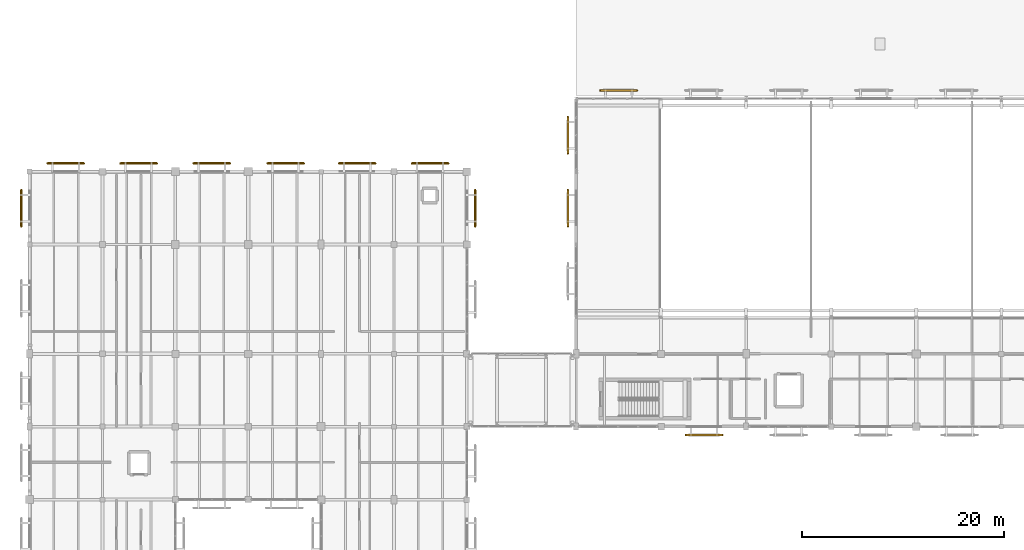
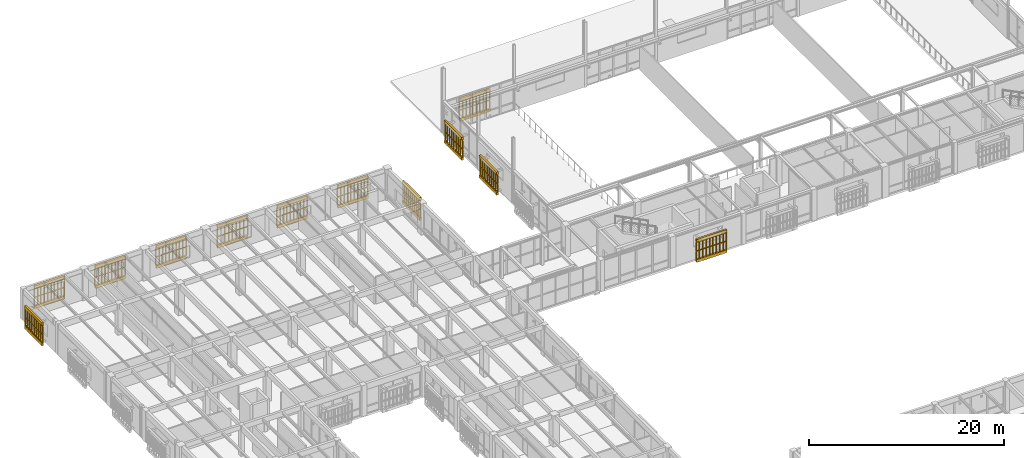
# One storey, part 158 of 170: 24 coverings, 24 railings.
"""IFC4 building model written with IfcOpenShell, lengths in metres."""

from ifc_helpers import new_model, si_unit, direction, frame, origin, origin_2d, place, context, subcontext, project, spatial, polyline, circle, outline, extrude, material, layer, layer_set, type_object, element, save


model = new_model("IFC4")

# Units and contexts
model_context = context("Model", 3, precision=1e-05, world=origin(), true_north=direction((0.0, 1.0)))
body_context = subcontext(model_context, "Body", "Model", "MODEL_VIEW")
ifc_project = project(units=[si_unit("LENGTHUNIT", "METRE"), si_unit("AREAUNIT", "SQUARE_METRE"), si_unit("VOLUMEUNIT", "CUBIC_METRE"), si_unit("PLANEANGLEUNIT", "RADIAN"), si_unit("MASSUNIT", "GRAM", prefix="KILO")], contexts=[model_context])

# Site, building, storey
site_placement = place(None, origin())
site = spatial("IfcSite", under=ifc_project, at=site_placement, CompositionType="ELEMENT")
building_placement = place(site_placement, origin())
building = spatial("IfcBuilding", under=site, at=building_placement, Name="Mazaris Harbour Polytechnic", CompositionType="ELEMENT")
storey_placement = place(building_placement, frame((0.0, 0.0, 5.39990234375)))
storey = spatial("IfcBuildingStorey", under=building, at=storey_placement, Name="L01", CompositionType="ELEMENT", Elevation=5.39990234375)

# Railings
ifc_material_1 = material(Name="Perforated Earth-Coloured Terracotta Block", Category="masonry")
railing_type = type_object("IfcRailingType", Name="Perforated Earth-Block Claustra Lattice 1040", PredefinedType="BALUSTRADE", material=ifc_material_1)
for number, where, name in (
    (1, (68.4375, 74.780029296875, 0.52001953125), "V1 L01 Lower Perforated Terracotta Block Screen 5"),
    (2, (68.4375, 74.780029296875, 1.610107421875), "V1 L01 Upper Perforated Terracotta Block Screen 5"),
):
    element("IfcRailing", number, at=place(storey_placement, frame(where)), inside=storey, type_object=railing_type, Name=name, PredefinedType="BALUSTRADE", context=body_context, shape_type="SweptSolid", body=[
        extrude(circle(Radius=0.06982421875, at=origin_2d()), frame((0.0, 0.0, 1.02001953125), z_axis=(-1.0, 0.0, 0.0), x_axis=(0.0, -1.0, 0.0)), (0.0, 0.0, 1.0), 3.60009765625),
        extrude(circle(Radius=0.074951171875, at=origin_2d()), origin(), (0.0, 0.0, 1.0), 0.9501953125),
        extrude(circle(Radius=0.074951171875, at=origin_2d()), frame((-0.39990234375, 0.0, 0.0)), (0.0, 0.0, 1.0), 0.9501953125),
        extrude(circle(Radius=0.074951171875, at=origin_2d()), frame((-0.800048828125, 0.0, 0.0)), (0.0, 0.0, 1.0), 0.9501953125),
        extrude(circle(Radius=0.074951171875, at=origin_2d()), frame((-1.199951171875, 0.0, 0.0)), (0.0, 0.0, 1.0), 0.9501953125),
        extrude(circle(Radius=0.074951171875, at=origin_2d()), frame((-1.60009765625, 0.0, 0.0)), (0.0, 0.0, 1.0), 0.9501953125),
        extrude(circle(Radius=0.074951171875, at=origin_2d()), frame((-2.0, 0.0, 0.0)), (0.0, 0.0, 1.0), 0.9501953125),
        extrude(circle(Radius=0.074951171875, at=origin_2d()), frame((-2.400146484375, 0.0, 0.0)), (0.0, 0.0, 1.0), 0.9501953125),
        extrude(circle(Radius=0.074951171875, at=origin_2d()), frame((-2.800048828125, 0.0, 0.0)), (0.0, 0.0, 1.0), 0.9501953125),
        extrude(circle(Radius=0.074951171875, at=origin_2d()), frame((-3.2001953125, 0.0, 0.0)), (0.0, 0.0, 1.0), 0.9501953125),
        extrude(circle(Radius=0.074951171875, at=origin_2d()), frame((-3.60009765625, 0.0, 0.0)), (0.0, 0.0, 1.0), 0.9501953125),
    ])
for number, where, name in (
    (3, (56.39990234375, 108.820068359375, 0.52001953125), "V1 L01 Lower Perforated Terracotta Block Screen 11"),
    (4, (56.39990234375, 108.820068359375, 1.610107421875), "V1 L01 Upper Perforated Terracotta Block Screen 11"),
):
    element("IfcRailing", number, at=place(storey_placement, frame(where)), inside=storey, type_object=railing_type, Name=name, PredefinedType="BALUSTRADE", context=body_context, shape_type="SweptSolid", body=[
        extrude(circle(Radius=0.06982421875, at=origin_2d()), frame((0.0, 0.0, 1.02001953125), z_axis=(1.0, 0.0, 0.0), x_axis=(0.0, 1.0, 0.0)), (0.0, 0.0, 1.0), 3.60009765625),
        extrude(circle(Radius=0.074951171875, at=origin_2d()), origin(), (0.0, 0.0, 1.0), 0.9501953125),
        extrude(circle(Radius=0.074951171875, at=origin_2d()), frame((0.39990234375, 0.0, 0.0)), (0.0, 0.0, 1.0), 0.9501953125),
        extrude(circle(Radius=0.074951171875, at=origin_2d()), frame((0.800048828125, 0.0, 0.0)), (0.0, 0.0, 1.0), 0.9501953125),
        extrude(circle(Radius=0.074951171875, at=origin_2d()), frame((1.199951171875, 0.0, 0.0)), (0.0, 0.0, 1.0), 0.9501953125),
        extrude(circle(Radius=0.074951171875, at=origin_2d()), frame((1.60009765625, 0.0, 0.0)), (0.0, 0.0, 1.0), 0.9501953125),
        extrude(circle(Radius=0.074951171875, at=origin_2d()), frame((2.0, 0.0, 0.0)), (0.0, 0.0, 1.0), 0.9501953125),
        extrude(circle(Radius=0.074951171875, at=origin_2d()), frame((2.400146484375, 0.0, 0.0)), (0.0, 0.0, 1.0), 0.9501953125),
        extrude(circle(Radius=0.074951171875, at=origin_2d()), frame((2.800048828125, 0.0, 0.0)), (0.0, 0.0, 1.0), 0.9501953125),
        extrude(circle(Radius=0.074951171875, at=origin_2d()), frame((3.2001953125, 0.0, 0.0)), (0.0, 0.0, 1.0), 0.9501953125),
        extrude(circle(Radius=0.074951171875, at=origin_2d()), frame((3.60009765625, 0.0, 0.0)), (0.0, 0.0, 1.0), 0.9501953125),
    ])
for number, where, name in (
    (5, (53.179931640625, 95.389892578125, 0.52001953125), "V1 L01 Lower Perforated Terracotta Block Screen 19"),
    (6, (53.179931640625, 95.389892578125, 1.610107421875), "V1 L01 Upper Perforated Terracotta Block Screen 19"),
):
    element("IfcRailing", number, at=place(storey_placement, frame(where)), inside=storey, type_object=railing_type, Name=name, PredefinedType="BALUSTRADE", context=body_context, shape_type="SweptSolid", body=[
        extrude(circle(Radius=0.06982421875, at=origin_2d()), frame((0.0, 0.0, 1.02001953125), z_axis=(0.0, 1.0, 0.0), x_axis=(-1.0, 0.0, 0.0)), (0.0, 0.0, 1.0), 3.60009765625),
        extrude(circle(Radius=0.074951171875, at=origin_2d()), origin(), (0.0, 0.0, 1.0), 0.9501953125),
        extrude(circle(Radius=0.074951171875, at=origin_2d()), frame((0.0, 0.39990234375, 0.0)), (0.0, 0.0, 1.0), 0.9501953125),
        extrude(circle(Radius=0.074951171875, at=origin_2d()), frame((0.0, 0.800048828125, 0.0)), (0.0, 0.0, 1.0), 0.9501953125),
        extrude(circle(Radius=0.074951171875, at=origin_2d()), frame((0.0, 1.199951171875, 0.0)), (0.0, 0.0, 1.0), 0.9501953125),
        extrude(circle(Radius=0.074951171875, at=origin_2d()), frame((0.0, 1.60009765625, 0.0)), (0.0, 0.0, 1.0), 0.9501953125),
        extrude(circle(Radius=0.074951171875, at=origin_2d()), frame((0.0, 2.0, 0.0)), (0.0, 0.0, 1.0), 0.9501953125),
        extrude(circle(Radius=0.074951171875, at=origin_2d()), frame((0.0, 2.400146484375, 0.0)), (0.0, 0.0, 1.0), 0.9501953125),
        extrude(circle(Radius=0.074951171875, at=origin_2d()), frame((0.0, 2.800048828125, 0.0)), (0.0, 0.0, 1.0), 0.9501953125),
        extrude(circle(Radius=0.074951171875, at=origin_2d()), frame((0.0, 3.2001953125, 0.0)), (0.0, 0.0, 1.0), 0.9501953125),
        extrude(circle(Radius=0.074951171875, at=origin_2d()), frame((0.0, 3.60009765625, 0.0)), (0.0, 0.0, 1.0), 0.9501953125),
    ])
for number, where, name in (
    (7, (53.179931640625, 102.590087890625, 0.52001953125), "V1 L01 Lower Perforated Terracotta Block Screen 20"),
    (8, (53.179931640625, 102.590087890625, 1.610107421875), "V1 L01 Upper Perforated Terracotta Block Screen 20"),
):
    element("IfcRailing", number, at=place(storey_placement, frame(where)), inside=storey, type_object=railing_type, Name=name, PredefinedType="BALUSTRADE", context=body_context, shape_type="SweptSolid", body=[
        extrude(circle(Radius=0.06982421875, at=origin_2d()), frame((0.0, 0.0, 1.02001953125), z_axis=(0.0, 1.0, 0.0), x_axis=(-1.0, 0.0, 0.0)), (0.0, 0.0, 1.0), 3.599853515625),
        extrude(circle(Radius=0.074951171875, at=origin_2d()), origin(), (0.0, 0.0, 1.0), 0.9501953125),
        extrude(circle(Radius=0.074951171875, at=origin_2d()), frame((0.0, 0.449951171875, 0.0)), (0.0, 0.0, 1.0), 0.9501953125),
        extrude(circle(Radius=0.074951171875, at=origin_2d()), frame((0.0, 0.89990234375, 0.0)), (0.0, 0.0, 1.0), 0.9501953125),
        extrude(circle(Radius=0.074951171875, at=origin_2d()), frame((0.0, 1.349853515625, 0.0)), (0.0, 0.0, 1.0), 0.9501953125),
        extrude(circle(Radius=0.074951171875, at=origin_2d()), frame((0.0, 1.7998046875, 0.0)), (0.0, 0.0, 1.0), 0.9501953125),
        extrude(circle(Radius=0.074951171875, at=origin_2d()), frame((0.0, 2.25, 0.0)), (0.0, 0.0, 1.0), 0.9501953125),
        extrude(circle(Radius=0.074951171875, at=origin_2d()), frame((0.0, 2.699951171875, 0.0)), (0.0, 0.0, 1.0), 0.9501953125),
        extrude(circle(Radius=0.074951171875, at=origin_2d()), frame((0.0, 3.14990234375, 0.0)), (0.0, 0.0, 1.0), 0.9501953125),
        extrude(circle(Radius=0.074951171875, at=origin_2d()), frame((0.0, 3.599853515625, 0.0)), (0.0, 0.0, 1.0), 0.9501953125),
    ])
for number, where, name in (
    (9, (1.762451171875, 101.6201171875, 0.52001953125), "V4 L01 Lower Perforated Terracotta Block Screen 161"),
    (10, (1.762451171875, 101.6201171875, 1.610107421875), "V4 L01 Upper Perforated Terracotta Block Screen 161"),
    (11, (8.96240234375, 101.6201171875, 0.52001953125), "V4 L01 Lower Perforated Terracotta Block Screen 162"),
    (12, (8.96240234375, 101.6201171875, 1.610107421875), "V4 L01 Upper Perforated Terracotta Block Screen 162"),
    (13, (16.199951171875, 101.6201171875, 0.52001953125), "V4 L01 Lower Perforated Terracotta Block Screen 163"),
    (14, (16.199951171875, 101.6201171875, 1.610107421875), "V4 L01 Upper Perforated Terracotta Block Screen 163"),
):
    element("IfcRailing", number, at=place(storey_placement, frame(where)), inside=storey, type_object=railing_type, Name=name, PredefinedType="BALUSTRADE", context=body_context, shape_type="SweptSolid", body=[
        extrude(circle(Radius=0.06982421875, at=origin_2d()), frame((0.0, 0.0, 1.02001953125), z_axis=(1.0, 0.0, 0.0), x_axis=(0.0, 1.0, 0.0)), (0.0, 0.0, 1.0), 3.60009765625),
        extrude(circle(Radius=0.074951171875, at=origin_2d()), origin(), (0.0, 0.0, 1.0), 0.9501953125),
        extrude(circle(Radius=0.074951171875, at=origin_2d()), frame((0.39990234375, 0.0, 0.0)), (0.0, 0.0, 1.0), 0.9501953125),
        extrude(circle(Radius=0.074951171875, at=origin_2d()), frame((0.800048828125, 0.0, 0.0)), (0.0, 0.0, 1.0), 0.9501953125),
        extrude(circle(Radius=0.074951171875, at=origin_2d()), frame((1.199951171875, 0.0, 0.0)), (0.0, 0.0, 1.0), 0.9501953125),
        extrude(circle(Radius=0.074951171875, at=origin_2d()), frame((1.60009765625, 0.0, 0.0)), (0.0, 0.0, 1.0), 0.9501953125),
        extrude(circle(Radius=0.074951171875, at=origin_2d()), frame((2.0, 0.0, 0.0)), (0.0, 0.0, 1.0), 0.9501953125),
        extrude(circle(Radius=0.074951171875, at=origin_2d()), frame((2.400146484375, 0.0, 0.0)), (0.0, 0.0, 1.0), 0.9501953125),
        extrude(circle(Radius=0.074951171875, at=origin_2d()), frame((2.800048828125, 0.0, 0.0)), (0.0, 0.0, 1.0), 0.9501953125),
        extrude(circle(Radius=0.074951171875, at=origin_2d()), frame((3.2001953125, 0.0, 0.0)), (0.0, 0.0, 1.0), 0.9501953125),
        extrude(circle(Radius=0.074951171875, at=origin_2d()), frame((3.60009765625, 0.0, 0.0)), (0.0, 0.0, 1.0), 0.9501953125),
    ])
for number, where, name in (
    (15, (23.487548828125, 101.6201171875, 0.52001953125), "V4 L01 Lower Perforated Terracotta Block Screen 164"),
    (16, (23.487548828125, 101.6201171875, 1.610107421875), "V4 L01 Upper Perforated Terracotta Block Screen 164"),
):
    element("IfcRailing", number, at=place(storey_placement, frame(where)), inside=storey, type_object=railing_type, Name=name, PredefinedType="BALUSTRADE", context=body_context, shape_type="SweptSolid", body=[
        extrude(circle(Radius=0.06982421875, at=origin_2d()), frame((0.0, 0.0, 1.02001953125), z_axis=(1.0, 0.0, 0.0), x_axis=(0.0, 1.0, 0.0)), (0.0, 0.0, 1.0), 3.599853515625),
        extrude(circle(Radius=0.074951171875, at=origin_2d()), origin(), (0.0, 0.0, 1.0), 0.9501953125),
        extrude(circle(Radius=0.074951171875, at=origin_2d()), frame((0.449951171875, 0.0, 0.0)), (0.0, 0.0, 1.0), 0.9501953125),
        extrude(circle(Radius=0.074951171875, at=origin_2d()), frame((0.89990234375, 0.0, 0.0)), (0.0, 0.0, 1.0), 0.9501953125),
        extrude(circle(Radius=0.074951171875, at=origin_2d()), frame((1.349853515625, 0.0, 0.0)), (0.0, 0.0, 1.0), 0.9501953125),
        extrude(circle(Radius=0.074951171875, at=origin_2d()), frame((1.7998046875, 0.0, 0.0)), (0.0, 0.0, 1.0), 0.9501953125),
        extrude(circle(Radius=0.074951171875, at=origin_2d()), frame((2.25, 0.0, 0.0)), (0.0, 0.0, 1.0), 0.9501953125),
        extrude(circle(Radius=0.074951171875, at=origin_2d()), frame((2.699951171875, 0.0, 0.0)), (0.0, 0.0, 1.0), 0.9501953125),
        extrude(circle(Radius=0.074951171875, at=origin_2d()), frame((3.14990234375, 0.0, 0.0)), (0.0, 0.0, 1.0), 0.9501953125),
        extrude(circle(Radius=0.074951171875, at=origin_2d()), frame((3.599853515625, 0.0, 0.0)), (0.0, 0.0, 1.0), 0.9501953125),
    ])
for number, where, name in (
    (17, (30.5625, 101.6201171875, 0.52001953125), "V4 L01 Lower Perforated Terracotta Block Screen 165"),
    (18, (30.5625, 101.6201171875, 1.60498046875), "V4 L01 Upper Perforated Terracotta Block Screen 165"),
):
    element("IfcRailing", number, at=place(storey_placement, frame(where)), inside=storey, type_object=railing_type, Name=name, PredefinedType="BALUSTRADE", context=body_context, shape_type="SweptSolid", body=[
        extrude(circle(Radius=0.06982421875, at=origin_2d()), frame((0.0, 0.0, 1.01513671875), z_axis=(1.0, 0.0, 0.0), x_axis=(0.0, 1.0, 0.0)), (0.0, 0.0, 1.0), 3.60009765625),
        extrude(circle(Radius=0.074951171875, at=origin_2d()), origin(), (0.0, 0.0, 1.0), 0.945068359375),
        extrude(circle(Radius=0.074951171875, at=origin_2d()), frame((0.39990234375, 0.0, 0.0)), (0.0, 0.0, 1.0), 0.945068359375),
        extrude(circle(Radius=0.074951171875, at=origin_2d()), frame((0.800048828125, 0.0, 0.0)), (0.0, 0.0, 1.0), 0.945068359375),
        extrude(circle(Radius=0.074951171875, at=origin_2d()), frame((1.199951171875, 0.0, 0.0)), (0.0, 0.0, 1.0), 0.945068359375),
        extrude(circle(Radius=0.074951171875, at=origin_2d()), frame((1.60009765625, 0.0, 0.0)), (0.0, 0.0, 1.0), 0.945068359375),
        extrude(circle(Radius=0.074951171875, at=origin_2d()), frame((2.0, 0.0, 0.0)), (0.0, 0.0, 1.0), 0.945068359375),
        extrude(circle(Radius=0.074951171875, at=origin_2d()), frame((2.400146484375, 0.0, 0.0)), (0.0, 0.0, 1.0), 0.945068359375),
        extrude(circle(Radius=0.074951171875, at=origin_2d()), frame((2.800048828125, 0.0, 0.0)), (0.0, 0.0, 1.0), 0.945068359375),
        extrude(circle(Radius=0.074951171875, at=origin_2d()), frame((3.2001953125, 0.0, 0.0)), (0.0, 0.0, 1.0), 0.945068359375),
        extrude(circle(Radius=0.074951171875, at=origin_2d()), frame((3.60009765625, 0.0, 0.0)), (0.0, 0.0, 1.0), 0.945068359375),
    ])
for number, where, name in (
    (19, (37.762451171875, 101.6201171875, 0.52001953125), "V4 L01 Lower Perforated Terracotta Block Screen 166"),
    (20, (37.762451171875, 101.6201171875, 1.610107421875), "V4 L01 Upper Perforated Terracotta Block Screen 166"),
):
    element("IfcRailing", number, at=place(storey_placement, frame(where)), inside=storey, type_object=railing_type, Name=name, PredefinedType="BALUSTRADE", context=body_context, shape_type="SweptSolid", body=[
        extrude(circle(Radius=0.06982421875, at=origin_2d()), frame((0.0, 0.0, 1.02001953125), z_axis=(1.0, 0.0, 0.0), x_axis=(0.0, 1.0, 0.0)), (0.0, 0.0, 1.0), 3.60009765625),
        extrude(circle(Radius=0.074951171875, at=origin_2d()), origin(), (0.0, 0.0, 1.0), 0.9501953125),
        extrude(circle(Radius=0.074951171875, at=origin_2d()), frame((0.39990234375, 0.0, 0.0)), (0.0, 0.0, 1.0), 0.9501953125),
        extrude(circle(Radius=0.074951171875, at=origin_2d()), frame((0.800048828125, 0.0, 0.0)), (0.0, 0.0, 1.0), 0.9501953125),
        extrude(circle(Radius=0.074951171875, at=origin_2d()), frame((1.199951171875, 0.0, 0.0)), (0.0, 0.0, 1.0), 0.9501953125),
        extrude(circle(Radius=0.074951171875, at=origin_2d()), frame((1.60009765625, 0.0, 0.0)), (0.0, 0.0, 1.0), 0.9501953125),
        extrude(circle(Radius=0.074951171875, at=origin_2d()), frame((2.0, 0.0, 0.0)), (0.0, 0.0, 1.0), 0.9501953125),
        extrude(circle(Radius=0.074951171875, at=origin_2d()), frame((2.400146484375, 0.0, 0.0)), (0.0, 0.0, 1.0), 0.9501953125),
        extrude(circle(Radius=0.074951171875, at=origin_2d()), frame((2.800048828125, 0.0, 0.0)), (0.0, 0.0, 1.0), 0.9501953125),
        extrude(circle(Radius=0.074951171875, at=origin_2d()), frame((3.2001953125, 0.0, 0.0)), (0.0, 0.0, 1.0), 0.9501953125),
        extrude(circle(Radius=0.074951171875, at=origin_2d()), frame((3.60009765625, 0.0, 0.0)), (0.0, 0.0, 1.0), 0.9501953125),
    ])
for number, where, name in (
    (21, (-0.820068359375, 95.387451171875, 0.52001953125), "V4 L01 Lower Perforated Terracotta Block Screen 178"),
    (22, (-0.820068359375, 95.387451171875, 1.610107421875), "V4 L01 Upper Perforated Terracotta Block Screen 178"),
):
    element("IfcRailing", number, at=place(storey_placement, frame(where)), inside=storey, type_object=railing_type, Name=name, PredefinedType="BALUSTRADE", context=body_context, shape_type="SweptSolid", body=[
        extrude(circle(Radius=0.06982421875, at=origin_2d()), frame((0.0, 0.0, 1.02001953125), z_axis=(0.0, 1.0, 0.0), x_axis=(-1.0, 0.0, 0.0)), (0.0, 0.0, 1.0), 3.60009765625),
        extrude(circle(Radius=0.074951171875, at=origin_2d()), origin(), (0.0, 0.0, 1.0), 0.9501953125),
        extrude(circle(Radius=0.074951171875, at=origin_2d()), frame((0.0, 0.39990234375, 0.0)), (0.0, 0.0, 1.0), 0.9501953125),
        extrude(circle(Radius=0.074951171875, at=origin_2d()), frame((0.0, 0.800048828125, 0.0)), (0.0, 0.0, 1.0), 0.9501953125),
        extrude(circle(Radius=0.074951171875, at=origin_2d()), frame((0.0, 1.199951171875, 0.0)), (0.0, 0.0, 1.0), 0.9501953125),
        extrude(circle(Radius=0.074951171875, at=origin_2d()), frame((0.0, 1.60009765625, 0.0)), (0.0, 0.0, 1.0), 0.9501953125),
        extrude(circle(Radius=0.074951171875, at=origin_2d()), frame((0.0, 2.0, 0.0)), (0.0, 0.0, 1.0), 0.9501953125),
        extrude(circle(Radius=0.074951171875, at=origin_2d()), frame((0.0, 2.400146484375, 0.0)), (0.0, 0.0, 1.0), 0.9501953125),
        extrude(circle(Radius=0.074951171875, at=origin_2d()), frame((0.0, 2.800048828125, 0.0)), (0.0, 0.0, 1.0), 0.9501953125),
        extrude(circle(Radius=0.074951171875, at=origin_2d()), frame((0.0, 3.2001953125, 0.0)), (0.0, 0.0, 1.0), 0.9501953125),
        extrude(circle(Radius=0.074951171875, at=origin_2d()), frame((0.0, 3.60009765625, 0.0)), (0.0, 0.0, 1.0), 0.9501953125),
    ])
for number, where, name in (
    (23, (44.02001953125, 98.987548828125, 0.52001953125), "V4 L01 Lower Perforated Terracotta Block Screen 188"),
    (24, (44.02001953125, 98.987548828125, 1.610107421875), "V4 L01 Upper Perforated Terracotta Block Screen 188"),
):
    element("IfcRailing", number, at=place(storey_placement, frame(where)), inside=storey, type_object=railing_type, Name=name, PredefinedType="BALUSTRADE", context=body_context, shape_type="SweptSolid", body=[
        extrude(circle(Radius=0.06982421875, at=origin_2d()), frame((0.0, 0.0, 1.02001953125), z_axis=(0.0, -1.0, 0.0), x_axis=(1.0, 0.0, 0.0)), (0.0, 0.0, 1.0), 3.60009765625),
        extrude(circle(Radius=0.074951171875, at=origin_2d()), origin(), (0.0, 0.0, 1.0), 0.9501953125),
        extrude(circle(Radius=0.074951171875, at=origin_2d()), frame((0.0, -0.39990234375, 0.0)), (0.0, 0.0, 1.0), 0.9501953125),
        extrude(circle(Radius=0.074951171875, at=origin_2d()), frame((0.0, -0.800048828125, 0.0)), (0.0, 0.0, 1.0), 0.9501953125),
        extrude(circle(Radius=0.074951171875, at=origin_2d()), frame((0.0, -1.199951171875, 0.0)), (0.0, 0.0, 1.0), 0.9501953125),
        extrude(circle(Radius=0.074951171875, at=origin_2d()), frame((0.0, -1.60009765625, 0.0)), (0.0, 0.0, 1.0), 0.9501953125),
        extrude(circle(Radius=0.074951171875, at=origin_2d()), frame((0.0, -2.0, 0.0)), (0.0, 0.0, 1.0), 0.9501953125),
        extrude(circle(Radius=0.074951171875, at=origin_2d()), frame((0.0, -2.400146484375, 0.0)), (0.0, 0.0, 1.0), 0.9501953125),
        extrude(circle(Radius=0.074951171875, at=origin_2d()), frame((0.0, -2.800048828125, 0.0)), (0.0, 0.0, 1.0), 0.9501953125),
        extrude(circle(Radius=0.074951171875, at=origin_2d()), frame((0.0, -3.2001953125, 0.0)), (0.0, 0.0, 1.0), 0.9501953125),
        extrude(circle(Radius=0.074951171875, at=origin_2d()), frame((0.0, -3.60009765625, 0.0)), (0.0, 0.0, 1.0), 0.9501953125),
    ])

# Coverings
ifc_material_2 = material(Name="Perforated Earth-Coloured Terracotta Block", Category="masonry")
ifc_layer = layer(ifc_material_2, 0.219970703125, Name="Perforated Earth-Coloured Terracotta Block")
ifc_layer_set = layer_set([ifc_layer], Name="Perforated Earth-Coloured Terracotta Block")
covering_type = type_object("IfcCoveringType", Name="Terracotta Screen Course Cladding 220", PredefinedType="CLADDING", material=ifc_layer_set)
covering_1_placement = place(storey_placement, frame((0.0, 0.0, 0.16015625)))
element("IfcCovering", 25, at=covering_1_placement, inside=storey, type_object=covering_type, Name="V1 L01 Perforated Screen Sill Course 5", PredefinedType="CLADDING", context=body_context, shape_type="SweptSolid", body=[
    extrude(outline(polyline([(68.4375, 74.889892578125), (64.83740234375, 74.889892578125), (64.83740234375, 74.669921875), (68.4375, 74.669921875), (68.4375, 74.889892578125)])), origin(), (0.0, 0.0, 1.0), 0.35986328125),
])
covering_2_placement = place(storey_placement, frame((0.0, 0.0, 2.7001953125)))
element("IfcCovering", 26, at=covering_2_placement, inside=storey, type_object=covering_type, Name="V1 L01 Perforated Screen Lintel Course 5", PredefinedType="CLADDING", context=body_context, shape_type="SweptSolid", body=[
    extrude(outline(polyline([(68.4375, 74.889892578125), (64.83740234375, 74.889892578125), (64.83740234375, 74.669921875), (68.4375, 74.669921875), (68.4375, 74.889892578125)])), origin(), (0.0, 0.0, 1.0), 0.33984375),
])
covering_3_placement = place(storey_placement, frame((0.0, 0.0, 0.16015625)))
element("IfcCovering", 27, at=covering_3_placement, inside=storey, type_object=covering_type, Name="V1 L01 Perforated Screen Sill Course 11", PredefinedType="CLADDING", context=body_context, shape_type="SweptSolid", body=[
    extrude(outline(polyline([(56.39990234375, 108.7099609375), (60.0, 108.7099609375), (60.0, 108.929931640625), (56.39990234375, 108.929931640625), (56.39990234375, 108.7099609375)])), origin(), (0.0, 0.0, 1.0), 0.35986328125),
])
covering_4_placement = place(storey_placement, frame((0.0, 0.0, 2.7001953125)))
element("IfcCovering", 28, at=covering_4_placement, inside=storey, type_object=covering_type, Name="V1 L01 Perforated Screen Lintel Course 11", PredefinedType="CLADDING", context=body_context, shape_type="SweptSolid", body=[
    extrude(outline(polyline([(56.39990234375, 108.7099609375), (60.0, 108.7099609375), (60.0, 108.929931640625), (56.39990234375, 108.929931640625), (56.39990234375, 108.7099609375)])), origin(), (0.0, 0.0, 1.0), 0.33984375),
])
covering_5_placement = place(storey_placement, frame((0.0, 0.0, 0.16015625)))
element("IfcCovering", 29, at=covering_5_placement, inside=storey, type_object=covering_type, Name="V1 L01 Perforated Screen Sill Course 19", PredefinedType="CLADDING", context=body_context, shape_type="SweptSolid", body=[
    extrude(outline(polyline([(53.2900390625, 95.389892578125), (53.2900390625, 98.989990234375), (53.070068359375, 98.989990234375), (53.070068359375, 95.389892578125), (53.2900390625, 95.389892578125)])), origin(), (0.0, 0.0, 1.0), 0.35986328125),
])
covering_6_placement = place(storey_placement, frame((0.0, 0.0, 2.7001953125)))
element("IfcCovering", 30, at=covering_6_placement, inside=storey, type_object=covering_type, Name="V1 L01 Perforated Screen Lintel Course 19", PredefinedType="CLADDING", context=body_context, shape_type="SweptSolid", body=[
    extrude(outline(polyline([(53.2900390625, 95.389892578125), (53.2900390625, 98.989990234375), (53.070068359375, 98.989990234375), (53.070068359375, 95.389892578125), (53.2900390625, 95.389892578125)])), origin(), (0.0, 0.0, 1.0), 0.33984375),
])
covering_7_placement = place(storey_placement, frame((0.0, 0.0, 0.16015625)))
element("IfcCovering", 31, at=covering_7_placement, inside=storey, type_object=covering_type, Name="V1 L01 Perforated Screen Sill Course 20", PredefinedType="CLADDING", context=body_context, shape_type="SweptSolid", body=[
    extrude(outline(polyline([(53.2900390625, 102.590087890625), (53.2900390625, 106.18994140625), (53.070068359375, 106.18994140625), (53.070068359375, 102.590087890625), (53.2900390625, 102.590087890625)])), origin(), (0.0, 0.0, 1.0), 0.35986328125),
])
covering_8_placement = place(storey_placement, frame((0.0, 0.0, 2.7001953125)))
element("IfcCovering", 32, at=covering_8_placement, inside=storey, type_object=covering_type, Name="V1 L01 Perforated Screen Lintel Course 20", PredefinedType="CLADDING", context=body_context, shape_type="SweptSolid", body=[
    extrude(outline(polyline([(53.2900390625, 102.590087890625), (53.2900390625, 106.18994140625), (53.070068359375, 106.18994140625), (53.070068359375, 102.590087890625), (53.2900390625, 102.590087890625)])), origin(), (0.0, 0.0, 1.0), 0.33984375),
])
covering_9_placement = place(storey_placement, frame((0.0, 0.0, 0.16015625)))
element("IfcCovering", 33, at=covering_9_placement, inside=storey, type_object=covering_type, Name="V4 L01 Perforated Screen Sill Course 161", PredefinedType="CLADDING", context=body_context, shape_type="SweptSolid", body=[
    extrude(outline(polyline([(1.762451171875, 101.510009765625), (5.362548828125, 101.510009765625), (5.362548828125, 101.72998046875), (1.762451171875, 101.72998046875), (1.762451171875, 101.510009765625)])), origin(), (0.0, 0.0, 1.0), 0.35986328125),
])
covering_10_placement = place(storey_placement, frame((0.0, 0.0, 2.7001953125)))
element("IfcCovering", 34, at=covering_10_placement, inside=storey, type_object=covering_type, Name="V4 L01 Perforated Screen Lintel Course 161", PredefinedType="CLADDING", context=body_context, shape_type="SweptSolid", body=[
    extrude(outline(polyline([(1.762451171875, 101.510009765625), (5.362548828125, 101.510009765625), (5.362548828125, 101.72998046875), (1.762451171875, 101.72998046875), (1.762451171875, 101.510009765625)])), origin(), (0.0, 0.0, 1.0), 0.33984375),
])
covering_11_placement = place(storey_placement, frame((0.0, 0.0, 0.16015625)))
element("IfcCovering", 35, at=covering_11_placement, inside=storey, type_object=covering_type, Name="V4 L01 Perforated Screen Sill Course 162", PredefinedType="CLADDING", context=body_context, shape_type="SweptSolid", body=[
    extrude(outline(polyline([(8.96240234375, 101.510009765625), (12.5625, 101.510009765625), (12.5625, 101.72998046875), (8.96240234375, 101.72998046875), (8.96240234375, 101.510009765625)])), origin(), (0.0, 0.0, 1.0), 0.35986328125),
])
covering_12_placement = place(storey_placement, frame((0.0, 0.0, 2.7001953125)))
element("IfcCovering", 36, at=covering_12_placement, inside=storey, type_object=covering_type, Name="V4 L01 Perforated Screen Lintel Course 162", PredefinedType="CLADDING", context=body_context, shape_type="SweptSolid", body=[
    extrude(outline(polyline([(8.96240234375, 101.510009765625), (12.5625, 101.510009765625), (12.5625, 101.72998046875), (8.96240234375, 101.72998046875), (8.96240234375, 101.510009765625)])), origin(), (0.0, 0.0, 1.0), 0.33984375),
])
covering_13_placement = place(storey_placement, frame((0.0, 0.0, 0.16015625)))
element("IfcCovering", 37, at=covering_13_placement, inside=storey, type_object=covering_type, Name="V4 L01 Perforated Screen Sill Course 163", PredefinedType="CLADDING", context=body_context, shape_type="SweptSolid", body=[
    extrude(outline(polyline([(16.199951171875, 101.510009765625), (19.800048828125, 101.510009765625), (19.800048828125, 101.72998046875), (16.199951171875, 101.72998046875), (16.199951171875, 101.510009765625)])), origin(), (0.0, 0.0, 1.0), 0.35986328125),
])
covering_14_placement = place(storey_placement, frame((0.0, 0.0, 2.7001953125)))
element("IfcCovering", 38, at=covering_14_placement, inside=storey, type_object=covering_type, Name="V4 L01 Perforated Screen Lintel Course 163", PredefinedType="CLADDING", context=body_context, shape_type="SweptSolid", body=[
    extrude(outline(polyline([(16.199951171875, 101.510009765625), (19.800048828125, 101.510009765625), (19.800048828125, 101.72998046875), (16.199951171875, 101.72998046875), (16.199951171875, 101.510009765625)])), origin(), (0.0, 0.0, 1.0), 0.33984375),
])
covering_15_placement = place(storey_placement, frame((0.0, 0.0, 0.16015625)))
element("IfcCovering", 39, at=covering_15_placement, inside=storey, type_object=covering_type, Name="V4 L01 Perforated Screen Sill Course 164", PredefinedType="CLADDING", context=body_context, shape_type="SweptSolid", body=[
    extrude(outline(polyline([(23.487548828125, 101.510009765625), (27.08740234375, 101.510009765625), (27.08740234375, 101.72998046875), (23.487548828125, 101.72998046875), (23.487548828125, 101.510009765625)])), origin(), (0.0, 0.0, 1.0), 0.35986328125),
])
covering_16_placement = place(storey_placement, frame((0.0, 0.0, 2.7001953125)))
element("IfcCovering", 40, at=covering_16_placement, inside=storey, type_object=covering_type, Name="V4 L01 Perforated Screen Lintel Course 164", PredefinedType="CLADDING", context=body_context, shape_type="SweptSolid", body=[
    extrude(outline(polyline([(23.487548828125, 101.510009765625), (27.08740234375, 101.510009765625), (27.08740234375, 101.72998046875), (23.487548828125, 101.72998046875), (23.487548828125, 101.510009765625)])), origin(), (0.0, 0.0, 1.0), 0.33984375),
])
covering_17_placement = place(storey_placement, frame((0.0, 0.0, 0.16015625)))
element("IfcCovering", 41, at=covering_17_placement, inside=storey, type_object=covering_type, Name="V4 L01 Perforated Screen Sill Course 165", PredefinedType="CLADDING", context=body_context, shape_type="SweptSolid", body=[
    extrude(outline(polyline([(30.5625, 101.510009765625), (34.16259765625, 101.510009765625), (34.16259765625, 101.72998046875), (30.5625, 101.72998046875), (30.5625, 101.510009765625)])), origin(), (0.0, 0.0, 1.0), 0.35986328125),
])
covering_18_placement = place(storey_placement, frame((0.0, 0.0, 2.690185546875)))
element("IfcCovering", 42, at=covering_18_placement, inside=storey, type_object=covering_type, Name="V4 L01 Perforated Screen Lintel Course 165", PredefinedType="CLADDING", context=body_context, shape_type="SweptSolid", body=[
    extrude(outline(polyline([(30.5625, 101.510009765625), (34.16259765625, 101.510009765625), (34.16259765625, 101.72998046875), (30.5625, 101.72998046875), (30.5625, 101.510009765625)])), origin(), (0.0, 0.0, 1.0), 0.33984375),
])
covering_19_placement = place(storey_placement, frame((0.0, 0.0, 0.16015625)))
element("IfcCovering", 43, at=covering_19_placement, inside=storey, type_object=covering_type, Name="V4 L01 Perforated Screen Sill Course 166", PredefinedType="CLADDING", context=body_context, shape_type="SweptSolid", body=[
    extrude(outline(polyline([(37.762451171875, 101.510009765625), (41.362548828125, 101.510009765625), (41.362548828125, 101.72998046875), (37.762451171875, 101.72998046875), (37.762451171875, 101.510009765625)])), origin(), (0.0, 0.0, 1.0), 0.35986328125),
])
covering_20_placement = place(storey_placement, frame((0.0, 0.0, 2.7001953125)))
element("IfcCovering", 44, at=covering_20_placement, inside=storey, type_object=covering_type, Name="V4 L01 Perforated Screen Lintel Course 166", PredefinedType="CLADDING", context=body_context, shape_type="SweptSolid", body=[
    extrude(outline(polyline([(37.762451171875, 101.510009765625), (41.362548828125, 101.510009765625), (41.362548828125, 101.72998046875), (37.762451171875, 101.72998046875), (37.762451171875, 101.510009765625)])), origin(), (0.0, 0.0, 1.0), 0.33984375),
])
covering_21_placement = place(storey_placement, frame((0.0, 0.0, 0.16015625)))
element("IfcCovering", 45, at=covering_21_placement, inside=storey, type_object=covering_type, Name="V4 L01 Perforated Screen Sill Course 178", PredefinedType="CLADDING", context=body_context, shape_type="SweptSolid", body=[
    extrude(outline(polyline([(-0.7099609375, 95.387451171875), (-0.7099609375, 98.987548828125), (-0.929931640625, 98.987548828125), (-0.929931640625, 95.387451171875), (-0.7099609375, 95.387451171875)])), origin(), (0.0, 0.0, 1.0), 0.35986328125),
])
covering_22_placement = place(storey_placement, frame((0.0, 0.0, 2.7001953125)))
element("IfcCovering", 46, at=covering_22_placement, inside=storey, type_object=covering_type, Name="V4 L01 Perforated Screen Lintel Course 178", PredefinedType="CLADDING", context=body_context, shape_type="SweptSolid", body=[
    extrude(outline(polyline([(-0.7099609375, 95.387451171875), (-0.7099609375, 98.987548828125), (-0.929931640625, 98.987548828125), (-0.929931640625, 95.387451171875), (-0.7099609375, 95.387451171875)])), origin(), (0.0, 0.0, 1.0), 0.33984375),
])
covering_23_placement = place(storey_placement, frame((0.0, 0.0, 0.16015625)))
element("IfcCovering", 47, at=covering_23_placement, inside=storey, type_object=covering_type, Name="V4 L01 Perforated Screen Sill Course 188", PredefinedType="CLADDING", context=body_context, shape_type="SweptSolid", body=[
    extrude(outline(polyline([(43.909912109375, 98.987548828125), (43.909912109375, 95.387451171875), (44.1298828125, 95.387451171875), (44.1298828125, 98.987548828125), (43.909912109375, 98.987548828125)])), origin(), (0.0, 0.0, 1.0), 0.35986328125),
])
covering_24_placement = place(storey_placement, frame((0.0, 0.0, 2.7001953125)))
element("IfcCovering", 48, at=covering_24_placement, inside=storey, type_object=covering_type, Name="V4 L01 Perforated Screen Lintel Course 188", PredefinedType="CLADDING", context=body_context, shape_type="SweptSolid", body=[
    extrude(outline(polyline([(43.909912109375, 98.987548828125), (43.909912109375, 95.387451171875), (44.1298828125, 95.387451171875), (44.1298828125, 98.987548828125), (43.909912109375, 98.987548828125)])), origin(), (0.0, 0.0, 1.0), 0.33984375),
])

save(model, "model.ifc")
